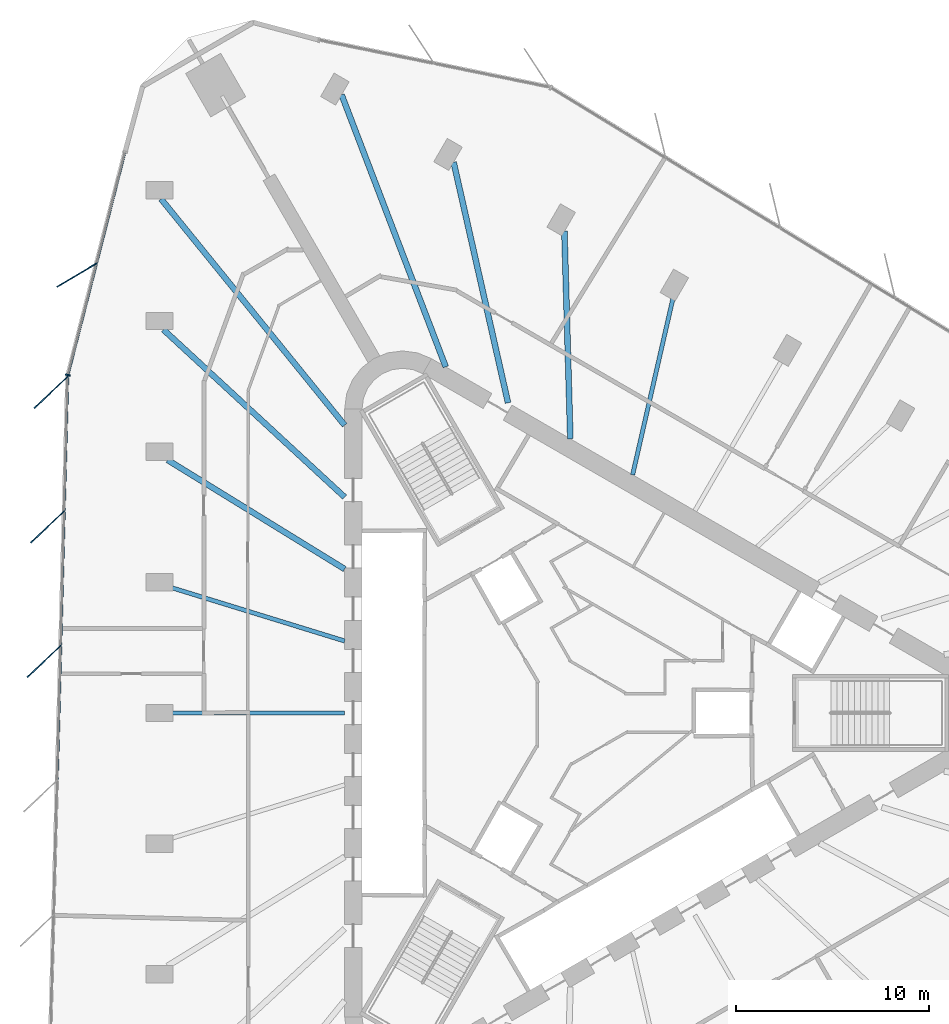
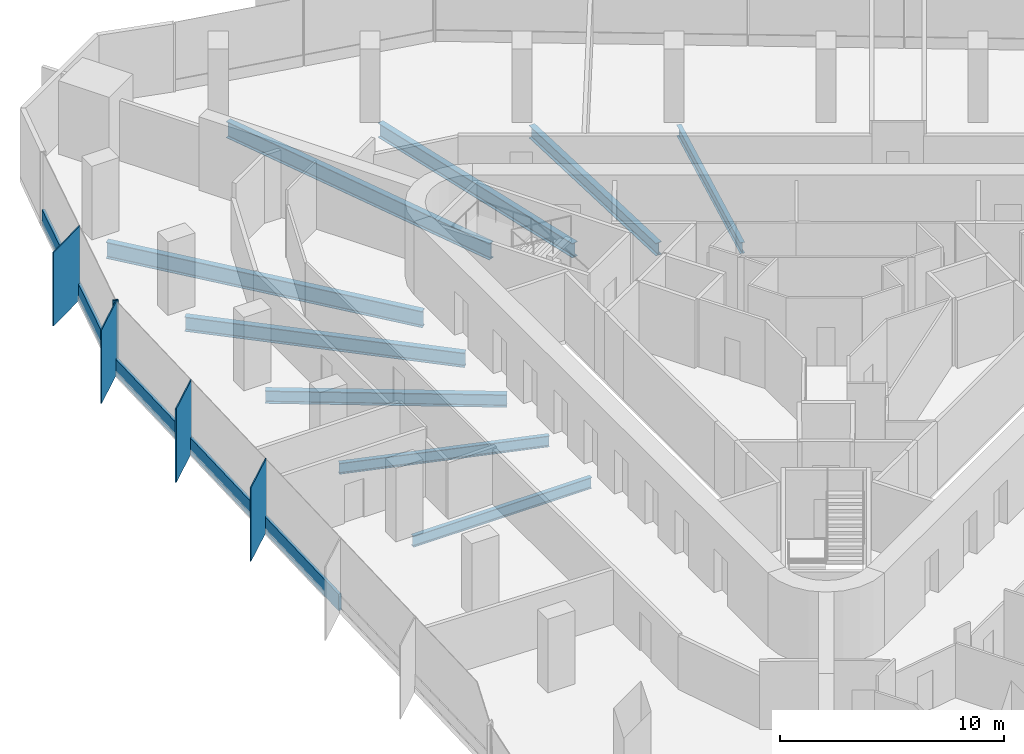
# One storey, part 4 of 14: 10 members, 9 beams, 2 elements without a shape of their own.
"""IFC4 building model written with IfcOpenShell, lengths in metres."""

from ifc_helpers import new_model, si_unit, direction, frame, origin, origin_2d, place, context, subcontext, project, spatial, rectangle, i_section, extrude, material, material_profile, profile_set, type_object, element, aggregate, save


model = new_model("IFC4")

# Units and contexts
model_context = context("Model", 3, precision=1e-05, world=origin(), true_north=direction((0.0, 1.0)))
body_context = subcontext(model_context, "Body", "Model", "MODEL_VIEW")
ifc_project = project(units=[si_unit("LENGTHUNIT", "METRE"), si_unit("AREAUNIT", "SQUARE_METRE"), si_unit("VOLUMEUNIT", "CUBIC_METRE"), si_unit("PLANEANGLEUNIT", "RADIAN"), si_unit("MASSUNIT", "GRAM", prefix="KILO")], contexts=[model_context])

# Site, building, storey
site_placement = place(None, origin())
site = spatial("IfcSite", under=ifc_project, at=site_placement, CompositionType="ELEMENT")
building_placement = place(site_placement, origin())
building = spatial("IfcBuilding", under=site, at=building_placement, Name="Tanit Gate Tower", CompositionType="ELEMENT")
storey_placement = place(building_placement, frame((0.0, 0.0, 241.199951171875)))
storey = spatial("IfcBuildingStorey", under=building, at=storey_placement, Name="L54", CompositionType="ELEMENT", Elevation=241.199951171875)

# Curtain wall, member
ifc_material_1 = material(Name="Aluminium bronze anodised and glass", Category="aluminium")
curtain_wall_type = type_object("IfcCurtainWallType", Name="Curtain wall typical mid", PredefinedType="NOTDEFINED", material=ifc_material_1)
curtain_wall_1_placement = place(storey_placement, origin())
curtain_wall_1 = element("IfcCurtainWall", 1, at=curtain_wall_1_placement, inside=storey, type_object=curtain_wall_type, Name="Curtain wall L54 W1", PredefinedType="NOTDEFINED")
ifc_material_2 = material(Name="Aluminium bronze anodised", Category="aluminium")
ifc_material_profile_1 = material_profile(ifc_material_2, rectangle(XDim=2.39990234375, YDim=0.055908203125, at=origin_2d()), Name="56x2400 bronze fin mullion")
ifc_profile_set_1 = profile_set([ifc_material_profile_1], Name="Aluminium bronze anodised")
member_type_1 = type_object("IfcMemberType", Name="FIN MULLION 56x2400 bronze", PredefinedType="MULLION", material=ifc_profile_set_1)
member_1_placement = place(storey_placement, frame((-25.981689453125, 22.691162109375, -0.300048828125), z_axis=(0.0, 0.0, 1.0), x_axis=(0.860365518231, 0.509677520633, 0.0)))
member_1 = element("IfcMember", 2, at=member_1_placement, type_object=member_type_1, Name="Fin mullion L54 W1.2", PredefinedType="MULLION", context=body_context, shape_type="SweptSolid", body=[
    extrude(rectangle(XDim=2.39990234375, YDim=0.055908203125, at=origin_2d()), origin(), (0.0, 0.0, 1.0), 4.0),
])

# Curtain wall, members
curtain_wall_2_placement = place(storey_placement, origin())
curtain_wall_2 = element("IfcCurtainWall", 3, at=curtain_wall_2_placement, inside=storey, type_object=curtain_wall_type, Name="Curtain wall L54 W2", PredefinedType="NOTDEFINED")
member_2_placement = place(storey_placement, frame((-27.3134765625, 16.618408203125, -0.300048828125), z_axis=(0.0, 0.0, 1.0), x_axis=(0.725200158595, 0.688538110764, 0.0)))
member_2 = element("IfcMember", 4, at=member_2_placement, type_object=member_type_1, Name="Fin mullion L54 W2.1", PredefinedType="MULLION", context=body_context, shape_type="SweptSolid", body=[
    extrude(rectangle(XDim=2.39990234375, YDim=0.055908203125, at=origin_2d()), origin(), (0.0, 0.0, 1.0), 4.0),
])
member_3_placement = place(storey_placement, frame((-27.494384765625, 9.646728515625, -0.300048828125), z_axis=(0.0, 0.0, 1.0), x_axis=(0.725200158595, 0.688538110764, 0.0)))
member_3 = element("IfcMember", 5, at=member_3_placement, type_object=member_type_1, Name="Fin mullion L54 W2.2", PredefinedType="MULLION", context=body_context, shape_type="SweptSolid", body=[
    extrude(rectangle(XDim=2.39990234375, YDim=0.055908203125, at=origin_2d()), origin(), (0.0, 0.0, 1.0), 4.0),
])
member_4_placement = place(storey_placement, frame((-27.67529296875, 2.6748046875, -0.300048828125), z_axis=(0.0, 0.0, 1.0), x_axis=(0.725200158595, 0.688538110764, 0.0)))
member_4 = element("IfcMember", 6, at=member_4_placement, type_object=member_type_1, Name="Fin mullion L54 W2.3", PredefinedType="MULLION", context=body_context, shape_type="SweptSolid", body=[
    extrude(rectangle(XDim=2.39990234375, YDim=0.055908203125, at=origin_2d()), origin(), (0.0, 0.0, 1.0), 4.0),
])

# Member
ifc_material_3 = material(Name="Aluminium bronze anodised", Category="aluminium")
ifc_material_profile_2 = material_profile(ifc_material_3, rectangle(XDim=0.260009765625, YDim=0.080078125, at=origin_2d()), Name="80x260 bronze mullion")
ifc_profile_set_2 = profile_set([ifc_material_profile_2], Name="Aluminium bronze anodised")
member_type_2 = type_object("IfcMemberType", Name="Mullion 80x260 typical mid", PredefinedType="MULLION", material=ifc_profile_set_2)
member_5_placement = place(storey_placement, frame((-26.44775390625, 17.5087890625, -0.300048828125), z_axis=(0.0, 0.0, 1.0), x_axis=(0.968766723298, -0.247973861182, 0.0)))
member_5 = element("IfcMember", 7, at=member_5_placement, type_object=member_type_2, Name="Mullion L54 W1.3", PredefinedType="MULLION", context=body_context, shape_type="SweptSolid", body=[
    extrude(rectangle(XDim=0.260009765625, YDim=0.080078125, at=origin_2d()), origin(), (0.0, 0.0, 1.0), 4.0),
])

# Beams
ifc_material_4 = material(Name="Steel S355", Category="steel")
ifc_material_profile_3 = material_profile(ifc_material_4, i_section(OverallWidth=0.300048828125, OverallDepth=0.68994140625, WebThickness=0.014404296875, FlangeThickness=0.027099609375, FilletRadius=0.027099609375, at=origin_2d()), Name="HEA 700")
ifc_profile_set_3 = profile_set([ifc_material_profile_3], Name="Steel S355")
beam_type_1 = type_object("IfcBeamType", Name="RADIAL GIRDER HEA 700 S355", PredefinedType="BEAM", material=ifc_profile_set_3)
for number, where, z_axis, x_axis, name in (
    (8, (-0.714599609375, 24.983642578125, -0.64501953125), (0.028583051014, -0.999591421129, 0.0), (0.999591421129, 0.028583051014, 0.0), "RADIAL GIRDER"),
    (9, (-21.279296875, 13.110595703125, -0.64501953125), (0.851378241131, -0.524552276259, 0.0), (0.524552276259, 0.851378241131, 0.0), "RADIAL GIRDER"),
):
    element("IfcBeam", number, at=place(storey_placement, frame(where, z_axis=z_axis, x_axis=x_axis)), inside=storey, type_object=beam_type_1, Name=name, PredefinedType="BEAM", context=body_context, shape_type="SweptSolid", body=[
        extrude(i_section(OverallWidth=0.300048828125, OverallDepth=0.68994140625, WebThickness=0.014404296875, FlangeThickness=0.027099609375, FilletRadius=0.027099609375, at=origin_2d()), origin(), (0.0, 0.0, 1.0), 10.779296875),
    ])
ifc_material_5 = material(Name="Steel S355", Category="steel")
ifc_material_profile_4 = material_profile(ifc_material_5, i_section(OverallWidth=0.300048828125, OverallDepth=0.7900390625, WebThickness=0.014892578125, FlangeThickness=0.028076171875, FilletRadius=0.030029296875, at=origin_2d()), Name="HEA 800")
ifc_profile_set_4 = profile_set([ifc_material_profile_4], Name="Steel S355")
beam_type_2 = type_object("IfcBeamType", Name="RADIAL GIRDER HEA 800 S355", PredefinedType="BEAM", material=ifc_profile_set_4)
for number, where, z_axis, x_axis, name in (
    (10, (-6.45556640625, 28.544189453125, -0.695068359375), (0.220594325016, -0.975365646192, 0.0), (0.975365646192, 0.220594325016, 0.0), "RADIAL GIRDER"),
    (11, (-21.4921875, 19.86279296875, -0.695068359375), (0.734397761649, -0.678719329093, 0.0), (0.678719329093, 0.734397761649, 0.0), "RADIAL GIRDER"),
):
    element("IfcBeam", number, at=place(storey_placement, frame(where, z_axis=z_axis, x_axis=x_axis)), inside=storey, type_object=beam_type_2, Name=name, PredefinedType="BEAM", context=body_context, shape_type="SweptSolid", body=[
        extrude(i_section(OverallWidth=0.300048828125, OverallDepth=0.7900390625, WebThickness=0.014892578125, FlangeThickness=0.028076171875, FilletRadius=0.030029296875, at=origin_2d()), origin(), (0.0, 0.0, 1.0), 12.7861328125),
    ])
ifc_material_6 = material(Name="Steel S355", Category="steel")
ifc_material_profile_5 = material_profile(ifc_material_6, i_section(OverallWidth=0.300048828125, OverallDepth=0.889892578125, WebThickness=0.01611328125, FlangeThickness=0.030029296875, FilletRadius=0.030029296875, at=origin_2d()), Name="HEA 900")
ifc_profile_set_5 = profile_set([ifc_material_profile_5], Name="Steel S355")
beam_type_3 = type_object("IfcBeamType", Name="RADIAL GIRDER HEA 900 S355", PredefinedType="BEAM", material=ifc_profile_set_5)
for number, where, z_axis, x_axis, name in (
    (12, (-12.2587890625, 32.03515625, -0.744873046875), (0.357400572527, -0.93395119292, 0.0), (0.93395119292, 0.357400572527, 0.0), "RADIAL GIRDER"),
    (13, (-21.614013671875, 26.6337890625, -0.744873046875), (0.630133417388, -0.776486880952, 0.0), (0.776486880952, 0.630133417388, 0.0), "RADIAL GIRDER"),
):
    element("IfcBeam", number, at=place(storey_placement, frame(where, z_axis=z_axis, x_axis=x_axis)), inside=storey, type_object=beam_type_3, Name=name, PredefinedType="BEAM", context=body_context, shape_type="SweptSolid", body=[
        extrude(i_section(OverallWidth=0.300048828125, OverallDepth=0.889892578125, WebThickness=0.01611328125, FlangeThickness=0.030029296875, FilletRadius=0.030029296875, at=origin_2d()), origin(), (0.0, 0.0, 1.0), 15.09521484375),
    ])
ifc_material_7 = material(Name="Steel S355", Category="steel")
ifc_material_profile_6 = material_profile(ifc_material_7, i_section(OverallWidth=0.219970703125, OverallDepth=0.60009765625, WebThickness=0.011962890625, FlangeThickness=0.01904296875, FilletRadius=0.02392578125, at=origin_2d()), Name="IPE 600")
ifc_profile_set_6 = profile_set([ifc_material_profile_6], Name="Steel S355")
beam_type_4 = type_object("IfcBeamType", Name="RADIAL GIRDER IPE 600 S355", PredefinedType="BEAM", material=ifc_profile_set_6)
for number, where, z_axis, x_axis, name in (
    (14, (4.962646484375, 21.7060546875, -0.599853515625), (-0.222889001119, -0.974843830149, 0.0), (0.974843830149, -0.222889001119, 0.0), "RADIAL GIRDER"),
    (15, (-21.279296875, 6.555419921875, -0.599853515625), (0.955680008009, -0.294407408692, 0.0), (0.294407408692, 0.955680008009, 0.0), "RADIAL GIRDER"),
):
    element("IfcBeam", number, at=place(storey_placement, frame(where, z_axis=z_axis, x_axis=x_axis)), inside=storey, type_object=beam_type_4, Name=name, PredefinedType="BEAM", context=body_context, shape_type="SweptSolid", body=[
        extrude(i_section(OverallWidth=0.219970703125, OverallDepth=0.60009765625, WebThickness=0.011962890625, FlangeThickness=0.01904296875, FilletRadius=0.02392578125, at=origin_2d()), origin(), (0.0, 0.0, 1.0), 9.602783203125),
    ])
beam_placement = place(storey_placement, frame((-21.279296875, 0.0, -0.599853515625), z_axis=(1.0, 0.0, 0.0), x_axis=(0.0, 1.0, 0.0)))
element("IfcBeam", 16, at=beam_placement, inside=storey, type_object=beam_type_4, Name="RADIAL GIRDER", PredefinedType="BEAM", context=body_context, shape_type="SweptSolid", body=[
    extrude(i_section(OverallWidth=0.219970703125, OverallDepth=0.60009765625, WebThickness=0.011962890625, FlangeThickness=0.01904296875, FilletRadius=0.02392578125, at=origin_2d()), origin(), (0.0, 0.0, 1.0), 9.17724609375),
])

# Member
ifc_material_8 = material(Name="Aluminium bronze anodised", Category="aluminium")
ifc_material_profile_7 = material_profile(ifc_material_8, rectangle(XDim=0.139892578125, YDim=0.89990234375, at=origin_2d()), Name="140x900 bronze transom")
ifc_profile_set_7 = profile_set([ifc_material_profile_7], Name="Aluminium bronze anodised")
member_type_3 = type_object("IfcMemberType", Name="Transom 140x900 typical mid", PredefinedType="USERDEFINED", material=ifc_profile_set_7)
member_6_placement = place(storey_placement, frame((-23.4970703125, 29.03662109375, 0.150146484375), z_axis=(-0.247964441486, -0.968769134396, 0.0), x_axis=(0.968769134396, -0.247964441486, 0.0)))
member_6 = element("IfcMember", 17, at=member_6_placement, type_object=member_type_3, Name="Transom L54 W1.1", ObjectType="TRANSOM", PredefinedType="USERDEFINED", context=body_context, shape_type="SweptSolid", body=[
    extrude(rectangle(XDim=0.139892578125, YDim=0.89990234375, at=origin_2d()), origin(), (0.0, 0.0, 1.0), 5.8896484375),
])

member_7_placement = place(storey_placement, frame((-24.977294921875, 23.253173828125, 0.150146484375), z_axis=(-0.247974399427, -0.968766585525, 0.0), x_axis=(0.968766585525, -0.247974399427, 0.0)))
member_7 = element("IfcMember", 18, at=member_7_placement, type_object=member_type_3, Name="Transom L54 W1.2", ObjectType="TRANSOM", PredefinedType="USERDEFINED", context=body_context, shape_type="SweptSolid", body=[
    extrude(rectangle(XDim=0.139892578125, YDim=0.89990234375, at=origin_2d()), origin(), (0.0, 0.0, 1.0), 5.889404296875),
])

aggregate(curtain_wall_1, [member_1, member_5, member_6, member_7])

member_8_placement = place(storey_placement, frame((-26.459716796875, 17.39013671875, 0.150146484375), z_axis=(-0.025922066799, -0.999663966767, 0.0), x_axis=(0.999663966767, -0.025922066799, 0.0)))
member_8 = element("IfcMember", 19, at=member_8_placement, type_object=member_type_3, Name="Transom L54 W2.1", ObjectType="TRANSOM", PredefinedType="USERDEFINED", context=body_context, shape_type="SweptSolid", body=[
    extrude(rectangle(XDim=0.139892578125, YDim=0.89990234375, at=origin_2d()), origin(), (0.0, 0.0, 1.0), 6.89404296875),
])

member_9_placement = place(storey_placement, frame((-26.640625, 10.418212890625, 0.150146484375), z_axis=(-0.025922984492, -0.99966394297, 0.0), x_axis=(0.99966394297, -0.025922984492, 0.0)))
member_9 = element("IfcMember", 20, at=member_9_placement, type_object=member_type_3, Name="Transom L54 W2.2", ObjectType="TRANSOM", PredefinedType="USERDEFINED", context=body_context, shape_type="SweptSolid", body=[
    extrude(rectangle(XDim=0.139892578125, YDim=0.89990234375, at=origin_2d()), origin(), (0.0, 0.0, 1.0), 6.893798828125),
])

member_10_placement = place(storey_placement, frame((-26.8212890625, 3.446533203125, 0.150146484375), z_axis=(-0.025922066799, -0.999663966767, 0.0), x_axis=(0.999663966767, -0.025922066799, 0.0)))
member_10 = element("IfcMember", 21, at=member_10_placement, type_object=member_type_3, Name="Transom L54 W2.3", ObjectType="TRANSOM", PredefinedType="USERDEFINED", context=body_context, shape_type="SweptSolid", body=[
    extrude(rectangle(XDim=0.139892578125, YDim=0.89990234375, at=origin_2d()), origin(), (0.0, 0.0, 1.0), 6.89404296875),
])

aggregate(curtain_wall_2, [member_2, member_3, member_4, member_8, member_9, member_10])

save(model, "model.ifc")
